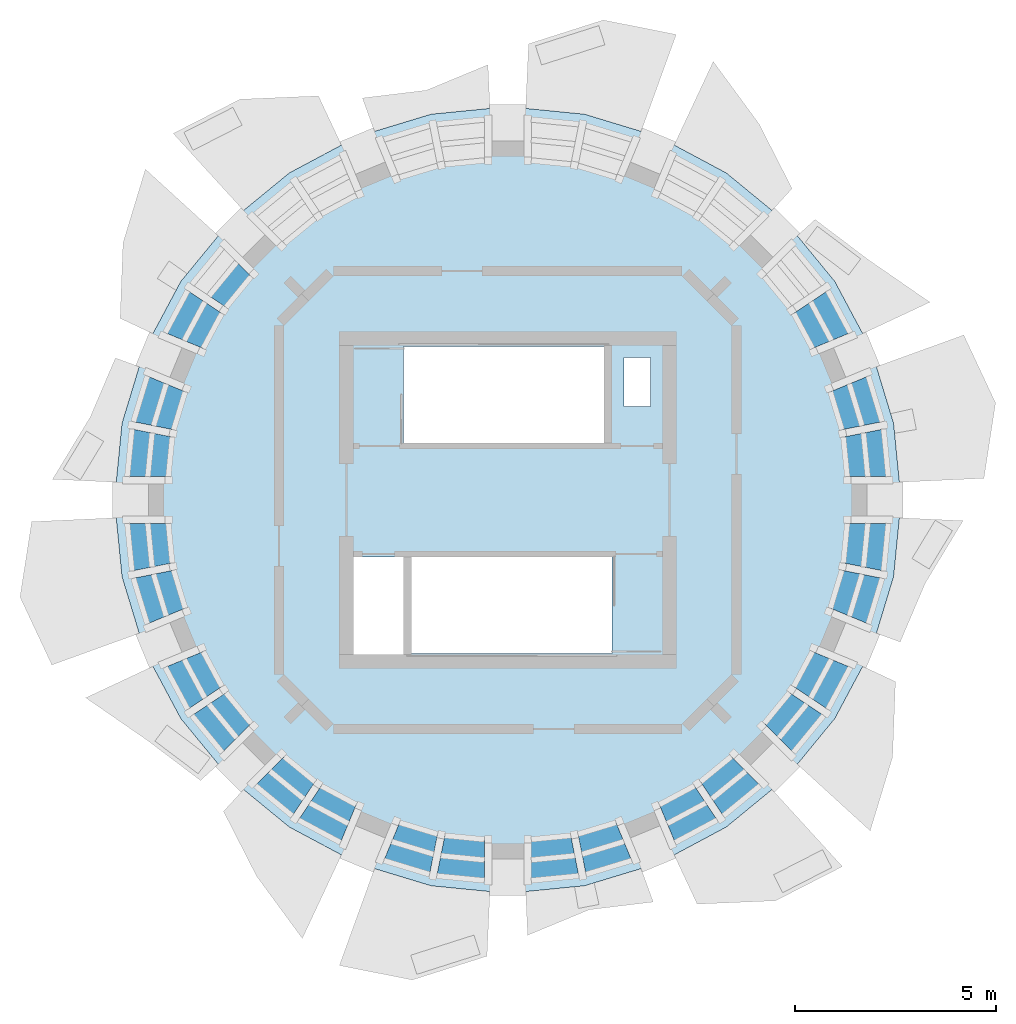
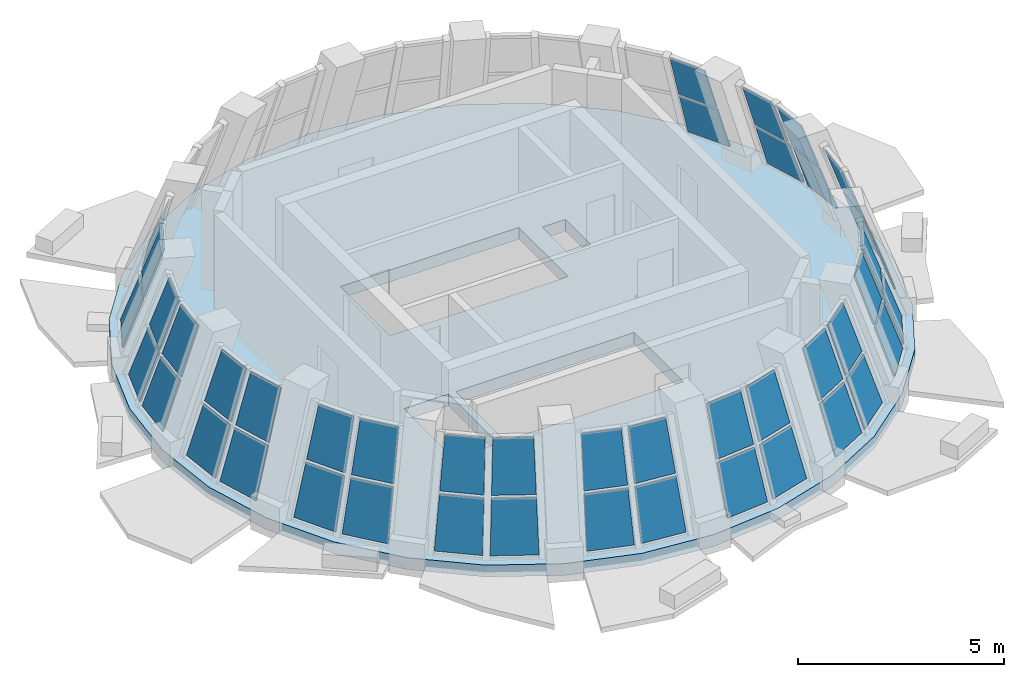
# One storey, part 4 of 8: 45 plates, 1 slab, 12 elements without a shape of their own.
"""IFC4 building model written with IfcOpenShell, lengths in metres."""

import ifcopenshell
import ifcopenshell.guid

model = None  # the IFC model being written
_history = None  # IfcOwnerHistory: only IFC2X3 demands one
_inside = {}  # id of a spatial element -> (the spatial element, [elements in it])
_under = {}  # id of a project, library or spatial element -> (it, [spatial elements below it])
_declared = {}  # id of a project -> (the project, [libraries it declares])
_typed = {}  # id of a type object -> (the type object, [elements of that type])
_made_of = {}  # id of a material, layer set ... -> (it, [elements and type objects made of it])


def new_model(schema):
    """Start an empty IFC model of exactly this schema.

    Asked for "IFC4X3", IfcOpenShell would pick the latest addendum, in which some entities
    have other attributes; the version numbers below select the first issue.
    IFC2X3 requires an IfcOwnerHistory on every rooted entity: one is made here for all.
    """
    global model, _history
    if schema == "IFC4X3":
        model = ifcopenshell.file(schema_version=(4, 3, 0, 0))
    else:
        model = ifcopenshell.file(schema=schema)
    _inside.clear()
    _under.clear()
    _declared.clear()
    _typed.clear()
    _made_of.clear()
    _history = None
    if model.schema == "IFC2X3":
        org = make("IfcOrganization", Name="unknown")
        user = make(
            "IfcPersonAndOrganization",
            ThePerson=make("IfcPerson", FamilyName="unknown"),
            TheOrganization=org,
        )
        app = make(
            "IfcApplication",
            ApplicationDeveloper=org,
            Version="unknown",
            ApplicationFullName="unknown",
            ApplicationIdentifier="unknown",
        )
        _history = make(
            "IfcOwnerHistory",
            OwningUser=user,
            OwningApplication=app,
            ChangeAction="ADDED",
            CreationDate=0,
        )
    return model


def make(cls, **values):
    """One entity of the class cls with the attributes given. An attribute that is None is left unset."""
    return model.create_entity(
        cls, **{name: value for name, value in values.items() if value is not None}
    )


def rooted(cls, **values):
    """An entity with a GlobalId (a new one), such as an element, a storey or a relation."""
    return make(cls, GlobalId=ifcopenshell.guid.new(), OwnerHistory=_history, **values)


def si_unit(unit_type, name, prefix=None):
    """IfcSIUnit, for example si_unit("LENGTHUNIT", "METRE", prefix="MILLI")."""
    return make("IfcSIUnit", UnitType=unit_type, Prefix=prefix, Name=name)


def assignment(units):
    """IfcUnitAssignment: the units of a project."""
    return None if units is None else make("IfcUnitAssignment", Units=units)


def point(xyz):
    """IfcCartesianPoint."""
    return None if xyz is None else make("IfcCartesianPoint", Coordinates=xyz)


def direction(xyz):
    """IfcDirection."""
    return None if xyz is None else make("IfcDirection", DirectionRatios=xyz)


def frame(location, z_axis=None, x_axis=None):
    """IfcAxis2Placement3D, a coordinate frame: its origin and axes. An axis left out is left unset."""
    return make(
        "IfcAxis2Placement3D",
        Location=point(location),
        Axis=direction(z_axis),
        RefDirection=direction(x_axis),
    )


def origin():
    """The frame at (0, 0, 0) with its axes left unset."""
    return frame((0.0, 0.0, 0.0))


def place(relative_to, where):
    """IfcLocalPlacement: puts the frame where relative to a parent placement (None: the world)."""
    return make(
        "IfcLocalPlacement", PlacementRelTo=relative_to, RelativePlacement=where
    )


def context(
    kind, dimensions, precision=None, world=None, true_north=None, identifier=None
):
    """IfcGeometricRepresentationContext, for example the 3D "Model" context."""
    return make(
        "IfcGeometricRepresentationContext",
        ContextIdentifier=identifier,
        ContextType=kind,
        CoordinateSpaceDimension=dimensions,
        Precision=precision,
        WorldCoordinateSystem=world,
        TrueNorth=true_north,
    )


def subcontext(parent, identifier, kind, view, scale=None):
    """IfcGeometricRepresentationSubContext, for example "Body" below "Model"."""
    return make(
        "IfcGeometricRepresentationSubContext",
        ContextIdentifier=identifier,
        ContextType=kind,
        ParentContext=parent,
        TargetScale=scale,
        TargetView=view,
    )


def project(units=None, contexts=None):
    """IfcProject with its units and contexts."""
    return rooted(
        "IfcProject",
        Name="project",
        RepresentationContexts=contexts,
        UnitsInContext=assignment(units),
    )


def spatial(cls, under=None, at=None, **own):
    """A site, building, storey or space (cls), placed at a placement, below another one or the project."""
    s = rooted(cls, ObjectPlacement=at, **own)
    if under is not None:
        _under.setdefault(under.id(), (under, []))[1].append(s)
    return s


def polyline(points):
    """IfcPolyline through the points."""
    return make("IfcPolyline", Points=[point(p) for p in points])


def outline(outer, holes=None, kind="AREA"):
    """IfcArbitraryClosedProfileDef: a profile drawn as a closed curve; with holes, ...WithVoids."""
    if holes is None:
        return make("IfcArbitraryClosedProfileDef", ProfileType=kind, OuterCurve=outer)
    return make(
        "IfcArbitraryProfileDefWithVoids",
        ProfileType=kind,
        OuterCurve=outer,
        InnerCurves=holes,
    )


def extrude(swept, where, along, depth):
    """IfcExtrudedAreaSolid: the profile swept, set in the frame where, extruded along a direction by depth."""
    return make(
        "IfcExtrudedAreaSolid",
        SweptArea=swept,
        Position=where,
        ExtrudedDirection=direction(along),
        Depth=depth,
    )


def shape(context_of_items, identifier, shape_type, items):
    """IfcShapeRepresentation: the items that make up one representation, for example the "Body"."""
    return make(
        "IfcShapeRepresentation",
        ContextOfItems=context_of_items,
        RepresentationIdentifier=identifier,
        RepresentationType=shape_type,
        Items=items,
    )


def material(Name=None, Category=None):
    """IfcMaterial."""
    return make("IfcMaterial", Name=Name, Category=Category)


def layer(
    of_material, thickness, ventilated=None, Name=None, Category=None, Priority=None
):
    """IfcMaterialLayer: one layer of a wall or slab, of a material (None: an air gap)."""
    return make(
        "IfcMaterialLayer",
        Material=of_material,
        LayerThickness=thickness,
        IsVentilated=ventilated,
        Name=Name,
        Category=Category,
        Priority=Priority,
    )


def layer_set(layers, Name=None):
    """IfcMaterialLayerSet."""
    return make("IfcMaterialLayerSet", MaterialLayers=layers, LayerSetName=Name)


def made_of(thing, what):
    """Note that an element or type object is made of a material, layer set ...; save() writes the relation."""
    if what is not None:
        _made_of.setdefault(what.id(), (what, []))[1].append(thing)
    return thing


def type_object(cls, material=None, **own):
    """A type object (cls), such as IfcWallType, which elements share."""
    return made_of(rooted(cls, **own), material)


def element(
    cls,
    number,
    at=None,
    inside=None,
    cuts=None,
    type_object=None,
    material=None,
    context=None,
    identifier="Body",
    shape_type=None,
    held_by="IfcProductDefinitionShape",
    body=None,
    shapes=None,
    **own,
):
    """One element of the class cls, such as IfcWall. Its Tag is "e" and its number.

    at: its placement. inside: the storey or other place that contains it. cuts: it is an
    opening in that element (IfcRelVoidsElement). A single representation is given by context,
    identifier, shape_type and body (its items); several are given by shapes. held_by: the class
    of the entity that holds the representations. save() writes the other relations.
    """
    e = rooted(cls, Tag="e%d" % number, ObjectPlacement=at, **own)
    if body is not None:
        shapes = [shape(context, identifier, shape_type, body)]
    if shapes is not None:
        e.Representation = make(held_by, Representations=shapes)
    if inside is not None:
        _inside.setdefault(inside.id(), (inside, []))[1].append(e)
    if cuts is not None:
        rooted(
            "IfcRelVoidsElement", RelatingBuildingElement=cuts, RelatedOpeningElement=e
        )
    if type_object is not None:
        _typed.setdefault(type_object.id(), (type_object, []))[1].append(e)
    return made_of(e, material)


def aggregate(whole, parts):
    """IfcRelAggregates: a whole, such as a stair, and the parts it consists of."""
    return rooted("IfcRelAggregates", RelatingObject=whole, RelatedObjects=parts)


def save(model, path):
    """Write the relations noted so far, then the file.

    IfcRelAggregates (storeys below a building ...), IfcRelContainedInSpatialStructure (elements
    in a storey), IfcRelDefinesByType, IfcRelAssociatesMaterial and IfcRelDeclares: one each for
    every whole, place, type object, material and project.
    """
    for whole, parts in _under.values():
        aggregate(whole, parts)
    for where, things in _inside.values():
        rooted(
            "IfcRelContainedInSpatialStructure",
            RelatedElements=things,
            RelatingStructure=where,
        )
    for kind, things in _typed.values():
        rooted("IfcRelDefinesByType", RelatedObjects=things, RelatingType=kind)
    for what, things in _made_of.values():
        rooted("IfcRelAssociatesMaterial", RelatedObjects=things, RelatingMaterial=what)
    for by, libraries in _declared.values():
        rooted("IfcRelDeclares", RelatingContext=by, RelatedDefinitions=libraries)
    model.write(path)


model = new_model("IFC4")

# Units and contexts
model_context = context("Model", 3, precision=1e-05, world=origin(), true_north=direction((0.0, 1.0)))
body_context = subcontext(model_context, "Body", "Model", "MODEL_VIEW")
ifc_project = project(units=[si_unit("LENGTHUNIT", "METRE"), si_unit("AREAUNIT", "SQUARE_METRE"), si_unit("VOLUMEUNIT", "CUBIC_METRE"), si_unit("PLANEANGLEUNIT", "RADIAN"), si_unit("MASSUNIT", "GRAM", prefix="KILO")], contexts=[model_context])

# Site, building, storey
site_placement = place(None, origin())
site = spatial("IfcSite", under=ifc_project, at=site_placement, CompositionType="ELEMENT")
building_placement = place(site_placement, origin())
building = spatial("IfcBuilding", under=site, at=building_placement, Name="Polderwave Tower", CompositionType="ELEMENT")
storey_placement = place(building_placement, frame((0.0, 0.0, 244.39990234375)))
storey = spatial("IfcBuildingStorey", under=building, at=storey_placement, Name="L66", CompositionType="ELEMENT", Elevation=244.39990234375)

# Curtain wall, plates
ifc_material_1 = material(Name="Aluminium 6063-T6 and glass", Category="aluminium")
curtain_wall_type = type_object("IfcCurtainWallType", Name="Crown facet glazing wall", PredefinedType="NOTDEFINED", material=ifc_material_1)
curtain_wall_1_placement = place(storey_placement, origin())
curtain_wall_1 = element("IfcCurtainWall", 1, at=curtain_wall_1_placement, inside=storey, type_object=curtain_wall_type, Name="CROWN CW6 L66 00", PredefinedType="NOTDEFINED")
ifc_material_2 = material(Name="Glass, low-e laminated double glazing", Category="glass")
ifc_layer_1 = layer(ifc_material_2, 0.0400390625)
ifc_layer_set_1 = layer_set([ifc_layer_1], Name="Crown facet glazing glass panel 40 mm")
plate_type = type_object("IfcPlateType", Name="Crown facet glazing glass panel 40 mm", PredefinedType="CURTAIN_PANEL", material=ifc_layer_set_1)
plate_1_placement = place(storey_placement, frame((9.46630859375, 0.583984375, 0.080078125), z_axis=(0.937895285941, 0.092195772354, 0.334443376627), x_axis=(-0.097827581807, 0.995203378319, -4.533808e-06)))
plate_1 = element("IfcPlate", 2, at=plate_1_placement, type_object=plate_type, Name="CROWN CW6 panel 1", PredefinedType="CURTAIN_PANEL", context=body_context, shape_type="SweptSolid", body=[
    extrude(outline(polyline([(0.0, 0.0), (1.1880702856782939, 0.0), (1.1401501838394374, 1.4377789199388151), (0.047259673282329384, 1.4377679466118984), (0.0, 0.0)])), origin(), (0.0, 0.0, -1.0), 0.0400390625),
])
plate_2_placement = place(storey_placement, frame((8.95458984375, 0.583984375, 1.51513671875), z_axis=(0.937851449391, 0.092369186157, 0.334518448405), x_axis=(-0.098000859001, 0.99518632919, -4.2758918e-05)))
plate_2 = element("IfcPlate", 3, at=plate_2_placement, type_object=plate_type, Name="CROWN CW6 panel 2", PredefinedType="CURTAIN_PANEL", context=body_context, shape_type="SweptSolid", body=[
    extrude(outline(polyline([(0.0, 0.0), (1.0874974052304374, -6.938893903907228e-18), (1.0396331621784038, 1.4378612585329653), (0.047291598624912855, 1.4377668902361955), (0.0, 0.0)])), origin(), (0.0, 0.0, -1.0), 0.0400390625),
])
plate_3_placement = place(storey_placement, frame((9.314208984375, 1.947021484375, 0.080078125), z_axis=(0.901720281064, 0.273664436241, 0.334676427397), x_axis=(-0.290408490469, 0.956902768614, -9.05669e-06)))
plate_3 = element("IfcPlate", 4, at=plate_3_placement, type_object=plate_type, Name="CROWN CW6 panel 3", PredefinedType="CURTAIN_PANEL", context=body_context, shape_type="SweptSolid", body=[
    extrude(outline(polyline([(0.0, 0.0), (1.1871399831308675, 1.3877787807814457e-17), (1.1397925647514855, 1.437910626445114), (0.04703240957954799, 1.4378887145022188), (0.0, 0.0)])), origin(), (0.0, 0.0, -1.0), 0.0400390625),
])
plate_4_placement = place(storey_placement, frame((8.81201171875, 1.8466796875, 1.51513671875), z_axis=(0.901830819388, 0.273503347507, 0.334510227206), x_axis=(-0.290216518075, 0.956961008783, -1.7455491e-05)))
plate_4 = element("IfcPlate", 5, at=plate_4_placement, type_object=plate_type, Name="CROWN CW6 panel 4", PredefinedType="CURTAIN_PANEL", context=body_context, shape_type="SweptSolid", body=[
    extrude(outline(polyline([(0.0, 0.0), (1.0870533690866546, 0.0), (1.0395271700945463, 1.4378288884632346), (0.04708727373324286, 1.4377903709772952), (0.0, 0.0)])), origin(), (0.0, 0.0, -1.0), 0.0400390625),
])
aggregate(curtain_wall_1, [plate_1, plate_2, plate_3, plate_4])

curtain_wall_2_placement = place(storey_placement, origin())
curtain_wall_2 = element("IfcCurtainWall", 6, at=curtain_wall_2_placement, inside=storey, type_object=curtain_wall_type, Name="CROWN CW6 L66 01", PredefinedType="NOTDEFINED")
plate_5_placement = place(storey_placement, frame((8.5224609375, 4.162109375, 0.080078125), z_axis=(0.830876386908, 0.444633328059, 0.334582774898), x_axis=(-0.471821460585, 0.881694113104, -1.5773085e-05)))
plate_5 = element("IfcPlate", 7, at=plate_5_placement, type_object=plate_type, Name="CROWN CW6 panel 1", PredefinedType="CURTAIN_PANEL", context=body_context, shape_type="SweptSolid", body=[
    extrude(outline(polyline([(0.0, 0.0), (1.18814734200034, 2.7755575615628914e-17), (1.1407316596209516, 1.4378680218944804), (0.04749750318745835, 1.4378298367196831), (0.0, 0.0)])), origin(), (0.0, 0.0, -1.0), 0.0400390625),
])
plate_6_placement = place(storey_placement, frame((8.049560546875, 3.966064453125, 1.51513671875), z_axis=(0.830888677871, 0.444637127192, 0.334547201615), x_axis=(-0.471823950525, 0.881692780798, -4.98226e-07)))
plate_6 = element("IfcPlate", 8, at=plate_6_placement, type_object=plate_type, Name="CROWN CW6 panel 2", PredefinedType="CURTAIN_PANEL", context=body_context, shape_type="SweptSolid", body=[
    extrude(outline(polyline([(0.0, 0.0), (1.0876619108830106, 2.7755575615628914e-17), (1.0404835413839726, 1.4378302090599095), (0.04751955871846202, 1.4378291090544624), (0.0, 0.0)])), origin(), (0.0, 0.0, -1.0), 0.0400390625),
])
aggregate(curtain_wall_2, [plate_5, plate_6])

curtain_wall_3_placement = place(storey_placement, origin())
curtain_wall_3 = element("IfcCurtainWall", 9, at=curtain_wall_3_placement, inside=storey, type_object=curtain_wall_type, Name="CROWN CW6 L66 06", PredefinedType="NOTDEFINED")
plate_7_placement = place(storey_placement, frame((-6.744384765625, 5.9189453125, 1.51513671875), z_axis=(-0.728610674549, 0.597664250951, 0.334550337122), x_axis=(-0.634208070404, -0.773162417238, 2.292569e-06)))
plate_7 = element("IfcPlate", 10, at=plate_7_placement, type_object=plate_type, Name="CROWN CW6 panel 2", PredefinedType="CURTAIN_PANEL", context=body_context, shape_type="SweptSolid", body=[
    extrude(outline(polyline([(0.0, 0.0), (1.0875022372701872, 2.7755575615628914e-17), (1.0402817535867661, 1.437828826565124), (0.04749726790123691, 1.4378338873805563), (0.0, 0.0)])), origin(), (0.0, 0.0, -1.0), 0.0400390625),
])
plate_8_placement = place(storey_placement, frame((-7.9619140625, 5.209716796875, 0.080078125), z_axis=(-0.830897524586, 0.444543790311, 0.334649252401), x_axis=(-0.471747578756, -0.881733645577, -1.3980513e-05)))
plate_8 = element("IfcPlate", 11, at=plate_8_placement, type_object=plate_type, Name="CROWN CW6 panel 3", PredefinedType="CURTAIN_PANEL", context=body_context, shape_type="SweptSolid", body=[
    extrude(outline(polyline([(0.0, 0.0), (1.188147342283793, -2.7755575615628914e-17), (1.14053465731741, 1.437901866773072), (0.04741568293498262, 1.4378680221103832), (0.0, 0.0)])), origin(), (0.0, 0.0, -1.0), 0.0400390625),
])
plate_9_placement = place(storey_placement, frame((-7.536376953125, 4.925048828125, 1.51513671875), z_axis=(-0.830878116864, 0.444580065193, 0.334649250037), x_axis=(-0.471786288697, -0.881712933773, -1.4670693e-05)))
plate_9 = element("IfcPlate", 12, at=plate_9_placement, type_object=plate_type, Name="CROWN CW6 panel 4", PredefinedType="CURTAIN_PANEL", context=body_context, shape_type="SweptSolid", body=[
    extrude(outline(polyline([(0.0, 0.0), (1.0876619098390503, 5.551115123125783e-17), (1.0400271620707178, 1.4379011361127982), (0.04739362464483311, 1.437868749409721), (0.0, 0.0)])), origin(), (0.0, 0.0, -1.0), 0.0400390625),
])
aggregate(curtain_wall_3, [plate_7, plate_8, plate_9])

curtain_wall_4_placement = place(storey_placement, origin())
curtain_wall_4 = element("IfcCurtainWall", 13, at=curtain_wall_4_placement, inside=storey, type_object=curtain_wall_type, Name="CROWN CW6 L66 07", PredefinedType="NOTDEFINED")
plate_10_placement = place(storey_placement, frame((-8.969482421875, 3.0830078125, 0.080078125), z_axis=(-0.90177283822, 0.273579472294, 0.334604274611), x_axis=(-0.290321413128, -0.956929190974, -2.3256199e-05)))
plate_10 = element("IfcPlate", 14, at=plate_10_placement, type_object=plate_type, Name="CROWN CW6 panel 1", PredefinedType="CURTAIN_PANEL", context=body_context, shape_type="SweptSolid", body=[
    extrude(outline(polyline([(0.0, 0.0), (1.1871399806981504, -1.3877787807814457e-17), (1.1401075758876562, 1.4378887126497282), (0.04741830816409392, 1.437832449401057), (0.0, 0.0)])), origin(), (0.0, 0.0, -1.0), 0.0400390625),
])
plate_11_placement = place(storey_placement, frame((-8.49658203125, 2.886962890625, 1.51513671875), z_axis=(-0.901830819388, 0.273503347507, 0.334510227206), x_axis=(-0.290216518075, -0.956961008783, 1.7455491e-05)))
plate_11 = element("IfcPlate", 15, at=plate_11_placement, type_object=plate_type, Name="CROWN CW6 panel 2", PredefinedType="CURTAIN_PANEL", context=body_context, shape_type="SweptSolid", body=[
    extrude(outline(polyline([(0.0, 0.0), (1.0870533690866546, 0.0), (1.0399660953534118, 1.4377903709772952), (0.04752619899210841, 1.4378288884632346), (0.0, 0.0)])), origin(), (0.0, 0.0, -1.0), 0.0400390625),
])
plate_12_placement = place(storey_placement, frame((-9.35009765625, 1.766357421875, 0.080078125), z_axis=(-0.937842269422, 0.092190560793, 0.334593452096), x_axis=(-0.09782758037, -0.99520337846, 4.535586e-06)))
plate_12 = element("IfcPlate", 16, at=plate_12_placement, type_object=plate_type, Name="CROWN CW6 panel 3", PredefinedType="CURTAIN_PANEL", context=body_context, shape_type="SweptSolid", body=[
    extrude(outline(polyline([(0.0, 0.0), (1.1880702856783063, -6.938893903907228e-18), (1.1407867318130822, 1.4378492220486534), (0.047896221256010195, 1.4378602002996534), (0.0, 0.0)])), origin(), (0.0, 0.0, -1.0), 0.0400390625),
])
plate_13_placement = place(storey_placement, frame((-8.84814453125, 1.666259765625, 1.51513671875), z_axis=(-0.937835729844, 0.09225701801, 0.334593464454), x_axis=(-0.09789760904, -0.995196492211, 5.932816e-06)))
plate_13 = element("IfcPlate", 17, at=plate_13_placement, type_object=plate_type, Name="CROWN CW6 panel 4", PredefinedType="CURTAIN_PANEL", context=body_context, shape_type="SweptSolid", body=[
    extrude(outline(polyline([(0.0, 0.0), (1.0874974139435412, 6.938893903907228e-18), (1.0401819015477192, 1.437848170700336), (0.04786426009474979, 1.4378612645556195), (0.0, 0.0)])), origin(), (0.0, 0.0, -1.0), 0.0400390625),
])
aggregate(curtain_wall_4, [plate_10, plate_11, plate_12, plate_13])

curtain_wall_5_placement = place(storey_placement, origin())
curtain_wall_5 = element("IfcCurtainWall", 18, at=curtain_wall_5_placement, inside=storey, type_object=curtain_wall_type, Name="CROWN CW6 L66 08", PredefinedType="NOTDEFINED")
plate_14_placement = place(storey_placement, frame((-9.46630859375, -0.583984375, 0.080078125), z_axis=(-0.937895285941, -0.092195772354, 0.334443376627), x_axis=(0.097827581807, -0.995203378319, -4.533808e-06)))
plate_14 = element("IfcPlate", 19, at=plate_14_placement, type_object=plate_type, Name="CROWN CW6 panel 1", PredefinedType="CURTAIN_PANEL", context=body_context, shape_type="SweptSolid", body=[
    extrude(outline(polyline([(0.0, 0.0), (1.1880702856782939, 0.0), (1.1401501838394374, 1.4377789199388151), (0.047259673282329384, 1.4377679466118984), (0.0, 0.0)])), origin(), (0.0, 0.0, -1.0), 0.0400390625),
])
plate_15_placement = place(storey_placement, frame((-8.95458984375, -0.583984375, 1.51513671875), z_axis=(-0.937851449391, -0.092369186157, 0.334518448405), x_axis=(0.098000859001, -0.99518632919, -4.2758918e-05)))
plate_15 = element("IfcPlate", 20, at=plate_15_placement, type_object=plate_type, Name="CROWN CW6 panel 2", PredefinedType="CURTAIN_PANEL", context=body_context, shape_type="SweptSolid", body=[
    extrude(outline(polyline([(0.0, 0.0), (1.0874974052304374, -6.938893903907228e-18), (1.0396331621784038, 1.4378612585329653), (0.047291598624912855, 1.4377668902361955), (0.0, 0.0)])), origin(), (0.0, 0.0, -1.0), 0.0400390625),
])
plate_16_placement = place(storey_placement, frame((-9.314208984375, -1.947021484375, 0.080078125), z_axis=(-0.901720281064, -0.273664436241, 0.334676427397), x_axis=(0.290408490469, -0.956902768614, -9.05669e-06)))
plate_16 = element("IfcPlate", 21, at=plate_16_placement, type_object=plate_type, Name="CROWN CW6 panel 3", PredefinedType="CURTAIN_PANEL", context=body_context, shape_type="SweptSolid", body=[
    extrude(outline(polyline([(0.0, 0.0), (1.1871399831308675, 1.3877787807814457e-17), (1.1397925647514855, 1.437910626445114), (0.04703240957954799, 1.4378887145022188), (0.0, 0.0)])), origin(), (0.0, 0.0, -1.0), 0.0400390625),
])
plate_17_placement = place(storey_placement, frame((-8.81201171875, -1.8466796875, 1.51513671875), z_axis=(-0.901830819388, -0.273503347507, 0.334510227206), x_axis=(0.290216518075, -0.956961008783, -1.7455491e-05)))
plate_17 = element("IfcPlate", 22, at=plate_17_placement, type_object=plate_type, Name="CROWN CW6 panel 4", PredefinedType="CURTAIN_PANEL", context=body_context, shape_type="SweptSolid", body=[
    extrude(outline(polyline([(0.0, 0.0), (1.0870533690866546, 0.0), (1.0395271700945463, 1.4378288884632346), (0.04708727373324286, 1.4377903709772952), (0.0, 0.0)])), origin(), (0.0, 0.0, -1.0), 0.0400390625),
])
aggregate(curtain_wall_5, [plate_14, plate_15, plate_16, plate_17])

curtain_wall_6_placement = place(storey_placement, origin())
curtain_wall_6 = element("IfcCurtainWall", 23, at=curtain_wall_6_placement, inside=storey, type_object=curtain_wall_type, Name="CROWN CW6 L66 09", PredefinedType="NOTDEFINED")
plate_18_placement = place(storey_placement, frame((-8.5224609375, -4.162109375, 0.080078125), z_axis=(-0.830876386908, -0.444633328059, 0.334582774898), x_axis=(0.471821460585, -0.881694113104, -1.5773085e-05)))
plate_18 = element("IfcPlate", 24, at=plate_18_placement, type_object=plate_type, Name="CROWN CW6 panel 1", PredefinedType="CURTAIN_PANEL", context=body_context, shape_type="SweptSolid", body=[
    extrude(outline(polyline([(0.0, 0.0), (1.18814734200034, 2.7755575615628914e-17), (1.1407316596209516, 1.4378680218944804), (0.04749750318745835, 1.4378298367196831), (0.0, 0.0)])), origin(), (0.0, 0.0, -1.0), 0.0400390625),
])
plate_19_placement = place(storey_placement, frame((-8.049560546875, -3.966064453125, 1.51513671875), z_axis=(-0.830888677871, -0.444637127192, 0.334547201615), x_axis=(0.471823950525, -0.881692780798, -4.98226e-07)))
plate_19 = element("IfcPlate", 25, at=plate_19_placement, type_object=plate_type, Name="CROWN CW6 panel 2", PredefinedType="CURTAIN_PANEL", context=body_context, shape_type="SweptSolid", body=[
    extrude(outline(polyline([(0.0, 0.0), (1.0876619108830106, 2.7755575615628914e-17), (1.0404835413839726, 1.4378302090599095), (0.04751955871846202, 1.4378291090544624), (0.0, 0.0)])), origin(), (0.0, 0.0, -1.0), 0.0400390625),
])
plate_20_placement = place(storey_placement, frame((-7.859619140625, -5.362548828125, 0.080078125), z_axis=(-0.728514558881, -0.59778140071, 0.334550346678), x_axis=(0.634331884059, -0.773060839035, -4.120436e-06)))
plate_20 = element("IfcPlate", 26, at=plate_20_placement, type_object=plate_type, Name="CROWN CW6 panel 3", PredefinedType="CURTAIN_PANEL", context=body_context, shape_type="SweptSolid", body=[
    extrude(outline(polyline([(0.0, 0.0), (1.1877514672402194, 2.7755575615628914e-17), (1.1403287608472565, 1.4378363484478571), (0.04729504145590254, 1.4378263759843046), (0.0, 0.0)])), origin(), (0.0, 0.0, -1.0), 0.0400390625),
])
plate_21_placement = place(storey_placement, frame((-7.43408203125, -5.078125, 1.51513671875), z_axis=(-0.728552410514, -0.597616458169, 0.334762533836), x_axis=(0.634208069606, -0.773162417893, -2.29384e-06)))
plate_21 = element("IfcPlate", 27, at=plate_21_placement, type_object=plate_type, Name="CROWN CW6 panel 4", PredefinedType="CURTAIN_PANEL", context=body_context, shape_type="SweptSolid", body=[
    extrude(outline(polyline([(0.0, 0.0), (1.0875022372701915, 2.7755575615628914e-17), (1.0399710427489806, 1.4379488756299341), (0.04718655706346319, 1.4379438116045562), (0.0, 0.0)])), origin(), (0.0, 0.0, -1.0), 0.0400390625),
])
aggregate(curtain_wall_6, [plate_18, plate_19, plate_20, plate_21])

curtain_wall_7_placement = place(storey_placement, origin())
curtain_wall_7 = element("IfcCurtainWall", 28, at=curtain_wall_7_placement, inside=storey, type_object=curtain_wall_type, Name="CROWN CW6 L66 10", PredefinedType="NOTDEFINED")
plate_22_placement = place(storey_placement, frame((-6.28076171875, -7.106201171875, 0.080078125), z_axis=(-0.597776406997, -0.728552904485, 0.334475757873), x_axis=(0.773077686851, -0.634311351045, -5.30734e-06)))
plate_22 = element("IfcPlate", 29, at=plate_22_placement, type_object=plate_type, Name="CROWN CW6 panel 1", PredefinedType="CURTAIN_PANEL", context=body_context, shape_type="SweptSolid", body=[
    extrude(outline(polyline([(0.0, 0.0), (1.1877514671807785, 2.7755575615628914e-17), (1.1404564258413907, 1.4380564517805376), (0.04723396892255981, 1.4377845445814874), (0.0, 0.0)])), origin(), (0.0, 0.0, -1.0), 0.0400390625),
])
plate_23_placement = place(storey_placement, frame((-5.9189453125, -6.744384765625, 1.51513671875), z_axis=(-0.597664250951, -0.728610674549, 0.334550337122), x_axis=(0.773162417238, -0.634208070404, 2.292569e-06)))
plate_23 = element("IfcPlate", 30, at=plate_23_placement, type_object=plate_type, Name="CROWN CW6 panel 2", PredefinedType="CURTAIN_PANEL", context=body_context, shape_type="SweptSolid", body=[
    extrude(outline(polyline([(0.0, 0.0), (1.0875022372701872, 2.7755575615628914e-17), (1.0402817535867661, 1.437828826565124), (0.04749726790123691, 1.4378338873805563), (0.0, 0.0)])), origin(), (0.0, 0.0, -1.0), 0.0400390625),
])
plate_24_placement = place(storey_placement, frame((-5.209716796875, -7.9619140625, 0.080078125), z_axis=(-0.444543790311, -0.830897524586, 0.334649252401), x_axis=(0.881733645577, -0.471747578756, -1.3980513e-05)))
plate_24 = element("IfcPlate", 31, at=plate_24_placement, type_object=plate_type, Name="CROWN CW6 panel 3", PredefinedType="CURTAIN_PANEL", context=body_context, shape_type="SweptSolid", body=[
    extrude(outline(polyline([(0.0, 0.0), (1.188147342283793, -2.7755575615628914e-17), (1.14053465731741, 1.437901866773072), (0.04741568293498262, 1.4378680221103832), (0.0, 0.0)])), origin(), (0.0, 0.0, -1.0), 0.0400390625),
])
plate_25_placement = place(storey_placement, frame((-4.925048828125, -7.536376953125, 1.51513671875), z_axis=(-0.444580065193, -0.830878116864, 0.334649250037), x_axis=(0.881712933773, -0.471786288697, -1.4670693e-05)))
plate_25 = element("IfcPlate", 32, at=plate_25_placement, type_object=plate_type, Name="CROWN CW6 panel 4", PredefinedType="CURTAIN_PANEL", context=body_context, shape_type="SweptSolid", body=[
    extrude(outline(polyline([(0.0, 0.0), (1.0876619098390503, 5.551115123125783e-17), (1.0400271620707178, 1.4379011361127982), (0.04739362464483311, 1.437868749409721), (0.0, 0.0)])), origin(), (0.0, 0.0, -1.0), 0.0400390625),
])
aggregate(curtain_wall_7, [plate_22, plate_23, plate_24, plate_25])

curtain_wall_8_placement = place(storey_placement, origin())
curtain_wall_8 = element("IfcCurtainWall", 33, at=curtain_wall_8_placement, inside=storey, type_object=curtain_wall_type, Name="CROWN CW6 L66 11", PredefinedType="NOTDEFINED")
plate_26_placement = place(storey_placement, frame((-3.0830078125, -8.969482421875, 0.080078125), z_axis=(-0.273579472294, -0.90177283822, 0.334604274611), x_axis=(0.956929190974, -0.290321413128, -2.3256199e-05)))
plate_26 = element("IfcPlate", 34, at=plate_26_placement, type_object=plate_type, Name="CROWN CW6 panel 1", PredefinedType="CURTAIN_PANEL", context=body_context, shape_type="SweptSolid", body=[
    extrude(outline(polyline([(0.0, 0.0), (1.1871399806981504, -1.3877787807814457e-17), (1.1401075758876562, 1.4378887126497282), (0.04741830816409392, 1.437832449401057), (0.0, 0.0)])), origin(), (0.0, 0.0, -1.0), 0.0400390625),
])
plate_27_placement = place(storey_placement, frame((-2.886962890625, -8.49658203125, 1.51513671875), z_axis=(-0.273503347507, -0.901830819388, 0.334510227206), x_axis=(0.956961008783, -0.290216518075, 1.7455491e-05)))
plate_27 = element("IfcPlate", 35, at=plate_27_placement, type_object=plate_type, Name="CROWN CW6 panel 2", PredefinedType="CURTAIN_PANEL", context=body_context, shape_type="SweptSolid", body=[
    extrude(outline(polyline([(0.0, 0.0), (1.0870533690866546, 0.0), (1.0399660953534118, 1.4377903709772952), (0.04752619899210841, 1.4378288884632346), (0.0, 0.0)])), origin(), (0.0, 0.0, -1.0), 0.0400390625),
])
plate_28_placement = place(storey_placement, frame((-1.766357421875, -9.35009765625, 0.080078125), z_axis=(-0.092190560793, -0.937842269422, 0.334593452096), x_axis=(0.99520337846, -0.09782758037, 4.535586e-06)))
plate_28 = element("IfcPlate", 36, at=plate_28_placement, type_object=plate_type, Name="CROWN CW6 panel 3", PredefinedType="CURTAIN_PANEL", context=body_context, shape_type="SweptSolid", body=[
    extrude(outline(polyline([(0.0, 0.0), (1.1880702856783063, -6.938893903907228e-18), (1.1407867318130822, 1.4378492220486534), (0.047896221256010195, 1.4378602002996534), (0.0, 0.0)])), origin(), (0.0, 0.0, -1.0), 0.0400390625),
])
plate_29_placement = place(storey_placement, frame((-1.666259765625, -8.84814453125, 1.51513671875), z_axis=(-0.09225701801, -0.937835729844, 0.334593464454), x_axis=(0.995196492211, -0.09789760904, 5.932816e-06)))
plate_29 = element("IfcPlate", 37, at=plate_29_placement, type_object=plate_type, Name="CROWN CW6 panel 4", PredefinedType="CURTAIN_PANEL", context=body_context, shape_type="SweptSolid", body=[
    extrude(outline(polyline([(0.0, 0.0), (1.0874974139435412, 6.938893903907228e-18), (1.0401819015477192, 1.437848170700336), (0.04786426009474979, 1.4378612645556195), (0.0, 0.0)])), origin(), (0.0, 0.0, -1.0), 0.0400390625),
])
aggregate(curtain_wall_8, [plate_26, plate_27, plate_28, plate_29])

curtain_wall_9_placement = place(storey_placement, origin())
curtain_wall_9 = element("IfcCurtainWall", 38, at=curtain_wall_9_placement, inside=storey, type_object=curtain_wall_type, Name="CROWN CW6 L66 12", PredefinedType="NOTDEFINED")
plate_30_placement = place(storey_placement, frame((0.583984375, -9.46630859375, 0.080078125), z_axis=(0.092195772354, -0.937895285941, 0.334443376627), x_axis=(0.995203378319, 0.097827581807, -4.533808e-06)))
plate_30 = element("IfcPlate", 39, at=plate_30_placement, type_object=plate_type, Name="CROWN CW6 panel 1", PredefinedType="CURTAIN_PANEL", context=body_context, shape_type="SweptSolid", body=[
    extrude(outline(polyline([(0.0, 0.0), (1.1880702856782939, 0.0), (1.1401501838394374, 1.4377789199388151), (0.047259673282329384, 1.4377679466118984), (0.0, 0.0)])), origin(), (0.0, 0.0, -1.0), 0.0400390625),
])
plate_31_placement = place(storey_placement, frame((0.583984375, -8.95458984375, 1.51513671875), z_axis=(0.092369186157, -0.937851449391, 0.334518448405), x_axis=(0.99518632919, 0.098000859001, -4.2758918e-05)))
plate_31 = element("IfcPlate", 40, at=plate_31_placement, type_object=plate_type, Name="CROWN CW6 panel 2", PredefinedType="CURTAIN_PANEL", context=body_context, shape_type="SweptSolid", body=[
    extrude(outline(polyline([(0.0, 0.0), (1.0874974052304374, -6.938893903907228e-18), (1.0396331621784038, 1.4378612585329653), (0.047291598624912855, 1.4377668902361955), (0.0, 0.0)])), origin(), (0.0, 0.0, -1.0), 0.0400390625),
])
plate_32_placement = place(storey_placement, frame((1.947021484375, -9.314208984375, 0.080078125), z_axis=(0.273664436241, -0.901720281064, 0.334676427397), x_axis=(0.956902768614, 0.290408490469, -9.05669e-06)))
plate_32 = element("IfcPlate", 41, at=plate_32_placement, type_object=plate_type, Name="CROWN CW6 panel 3", PredefinedType="CURTAIN_PANEL", context=body_context, shape_type="SweptSolid", body=[
    extrude(outline(polyline([(0.0, 0.0), (1.1871399831308675, 1.3877787807814457e-17), (1.1397925647514855, 1.437910626445114), (0.04703240957954799, 1.4378887145022188), (0.0, 0.0)])), origin(), (0.0, 0.0, -1.0), 0.0400390625),
])
plate_33_placement = place(storey_placement, frame((1.8466796875, -8.81201171875, 1.51513671875), z_axis=(0.273503347507, -0.901830819388, 0.334510227206), x_axis=(0.956961008783, 0.290216518075, -1.7455491e-05)))
plate_33 = element("IfcPlate", 42, at=plate_33_placement, type_object=plate_type, Name="CROWN CW6 panel 4", PredefinedType="CURTAIN_PANEL", context=body_context, shape_type="SweptSolid", body=[
    extrude(outline(polyline([(0.0, 0.0), (1.0870533690866546, 0.0), (1.0395271700945463, 1.4378288884632346), (0.04708727373324286, 1.4377903709772952), (0.0, 0.0)])), origin(), (0.0, 0.0, -1.0), 0.0400390625),
])
aggregate(curtain_wall_9, [plate_30, plate_31, plate_32, plate_33])

curtain_wall_10_placement = place(storey_placement, origin())
curtain_wall_10 = element("IfcCurtainWall", 43, at=curtain_wall_10_placement, inside=storey, type_object=curtain_wall_type, Name="CROWN CW6 L66 13", PredefinedType="NOTDEFINED")
plate_34_placement = place(storey_placement, frame((4.162109375, -8.5224609375, 0.080078125), z_axis=(0.444633328059, -0.830876386908, 0.334582774898), x_axis=(0.881694113104, 0.471821460585, -1.5773085e-05)))
plate_34 = element("IfcPlate", 44, at=plate_34_placement, type_object=plate_type, Name="CROWN CW6 panel 1", PredefinedType="CURTAIN_PANEL", context=body_context, shape_type="SweptSolid", body=[
    extrude(outline(polyline([(0.0, 0.0), (1.18814734200034, 2.7755575615628914e-17), (1.1407316596209516, 1.4378680218944804), (0.04749750318745835, 1.4378298367196831), (0.0, 0.0)])), origin(), (0.0, 0.0, -1.0), 0.0400390625),
])
plate_35_placement = place(storey_placement, frame((3.966064453125, -8.049560546875, 1.51513671875), z_axis=(0.444637127192, -0.830888677871, 0.334547201615), x_axis=(0.881692780798, 0.471823950525, -4.98226e-07)))
plate_35 = element("IfcPlate", 45, at=plate_35_placement, type_object=plate_type, Name="CROWN CW6 panel 2", PredefinedType="CURTAIN_PANEL", context=body_context, shape_type="SweptSolid", body=[
    extrude(outline(polyline([(0.0, 0.0), (1.0876619108830106, 2.7755575615628914e-17), (1.0404835413839726, 1.4378302090599095), (0.04751955871846202, 1.4378291090544624), (0.0, 0.0)])), origin(), (0.0, 0.0, -1.0), 0.0400390625),
])
plate_36_placement = place(storey_placement, frame((5.362548828125, -7.859619140625, 0.080078125), z_axis=(0.59778140071, -0.728514558881, 0.334550346678), x_axis=(0.773060839035, 0.634331884059, -4.120436e-06)))
plate_36 = element("IfcPlate", 46, at=plate_36_placement, type_object=plate_type, Name="CROWN CW6 panel 3", PredefinedType="CURTAIN_PANEL", context=body_context, shape_type="SweptSolid", body=[
    extrude(outline(polyline([(0.0, 0.0), (1.1877514672402194, 2.7755575615628914e-17), (1.1403287608472565, 1.4378363484478571), (0.04729504145590254, 1.4378263759843046), (0.0, 0.0)])), origin(), (0.0, 0.0, -1.0), 0.0400390625),
])
plate_37_placement = place(storey_placement, frame((5.078125, -7.43408203125, 1.51513671875), z_axis=(0.597616458169, -0.728552410514, 0.334762533836), x_axis=(0.773162417893, 0.634208069606, -2.29384e-06)))
plate_37 = element("IfcPlate", 47, at=plate_37_placement, type_object=plate_type, Name="CROWN CW6 panel 4", PredefinedType="CURTAIN_PANEL", context=body_context, shape_type="SweptSolid", body=[
    extrude(outline(polyline([(0.0, 0.0), (1.0875022372701915, 2.7755575615628914e-17), (1.0399710427489806, 1.4379488756299341), (0.04718655706346319, 1.4379438116045562), (0.0, 0.0)])), origin(), (0.0, 0.0, -1.0), 0.0400390625),
])
aggregate(curtain_wall_10, [plate_34, plate_35, plate_36, plate_37])

curtain_wall_11_placement = place(storey_placement, origin())
curtain_wall_11 = element("IfcCurtainWall", 48, at=curtain_wall_11_placement, inside=storey, type_object=curtain_wall_type, Name="CROWN CW6 L66 14", PredefinedType="NOTDEFINED")
plate_38_placement = place(storey_placement, frame((7.106201171875, -6.28076171875, 0.080078125), z_axis=(0.728552904485, -0.597776406997, 0.334475757873), x_axis=(0.634311351045, 0.773077686851, -5.30734e-06)))
plate_38 = element("IfcPlate", 49, at=plate_38_placement, type_object=plate_type, Name="CROWN CW6 panel 1", PredefinedType="CURTAIN_PANEL", context=body_context, shape_type="SweptSolid", body=[
    extrude(outline(polyline([(0.0, 0.0), (1.1877514671807785, 2.7755575615628914e-17), (1.1404564258413907, 1.4380564517805376), (0.04723396892255981, 1.4377845445814874), (0.0, 0.0)])), origin(), (0.0, 0.0, -1.0), 0.0400390625),
])
plate_39_placement = place(storey_placement, frame((6.744384765625, -5.9189453125, 1.51513671875), z_axis=(0.728610674549, -0.597664250951, 0.334550337122), x_axis=(0.634208070404, 0.773162417238, 2.292569e-06)))
plate_39 = element("IfcPlate", 50, at=plate_39_placement, type_object=plate_type, Name="CROWN CW6 panel 2", PredefinedType="CURTAIN_PANEL", context=body_context, shape_type="SweptSolid", body=[
    extrude(outline(polyline([(0.0, 0.0), (1.0875022372701872, 2.7755575615628914e-17), (1.0402817535867661, 1.437828826565124), (0.04749726790123691, 1.4378338873805563), (0.0, 0.0)])), origin(), (0.0, 0.0, -1.0), 0.0400390625),
])
plate_40_placement = place(storey_placement, frame((7.9619140625, -5.209716796875, 0.080078125), z_axis=(0.830897524586, -0.444543790311, 0.334649252401), x_axis=(0.471747578756, 0.881733645577, -1.3980513e-05)))
plate_40 = element("IfcPlate", 51, at=plate_40_placement, type_object=plate_type, Name="CROWN CW6 panel 3", PredefinedType="CURTAIN_PANEL", context=body_context, shape_type="SweptSolid", body=[
    extrude(outline(polyline([(0.0, 0.0), (1.188147342283793, -2.7755575615628914e-17), (1.14053465731741, 1.437901866773072), (0.04741568293498262, 1.4378680221103832), (0.0, 0.0)])), origin(), (0.0, 0.0, -1.0), 0.0400390625),
])
plate_41_placement = place(storey_placement, frame((7.536376953125, -4.925048828125, 1.51513671875), z_axis=(0.830878116864, -0.444580065193, 0.334649250037), x_axis=(0.471786288697, 0.881712933773, -1.4670693e-05)))
plate_41 = element("IfcPlate", 52, at=plate_41_placement, type_object=plate_type, Name="CROWN CW6 panel 4", PredefinedType="CURTAIN_PANEL", context=body_context, shape_type="SweptSolid", body=[
    extrude(outline(polyline([(0.0, 0.0), (1.0876619098390503, 5.551115123125783e-17), (1.0400271620707178, 1.4379011361127982), (0.04739362464483311, 1.437868749409721), (0.0, 0.0)])), origin(), (0.0, 0.0, -1.0), 0.0400390625),
])
aggregate(curtain_wall_11, [plate_38, plate_39, plate_40, plate_41])

curtain_wall_12_placement = place(storey_placement, origin())
curtain_wall_12 = element("IfcCurtainWall", 53, at=curtain_wall_12_placement, inside=storey, type_object=curtain_wall_type, Name="CROWN CW6 L66 15", PredefinedType="NOTDEFINED")
plate_42_placement = place(storey_placement, frame((8.969482421875, -3.0830078125, 0.080078125), z_axis=(0.90177283822, -0.273579472294, 0.334604274611), x_axis=(0.290321413128, 0.956929190974, -2.3256199e-05)))
plate_42 = element("IfcPlate", 54, at=plate_42_placement, type_object=plate_type, Name="CROWN CW6 panel 1", PredefinedType="CURTAIN_PANEL", context=body_context, shape_type="SweptSolid", body=[
    extrude(outline(polyline([(0.0, 0.0), (1.1871399806981504, -1.3877787807814457e-17), (1.1401075758876562, 1.4378887126497282), (0.04741830816409392, 1.437832449401057), (0.0, 0.0)])), origin(), (0.0, 0.0, -1.0), 0.0400390625),
])
plate_43_placement = place(storey_placement, frame((8.49658203125, -2.886962890625, 1.51513671875), z_axis=(0.901830819388, -0.273503347507, 0.334510227206), x_axis=(0.290216518075, 0.956961008783, 1.7455491e-05)))
plate_43 = element("IfcPlate", 55, at=plate_43_placement, type_object=plate_type, Name="CROWN CW6 panel 2", PredefinedType="CURTAIN_PANEL", context=body_context, shape_type="SweptSolid", body=[
    extrude(outline(polyline([(0.0, 0.0), (1.0870533690866546, 0.0), (1.0399660953534118, 1.4377903709772952), (0.04752619899210841, 1.4378288884632346), (0.0, 0.0)])), origin(), (0.0, 0.0, -1.0), 0.0400390625),
])
plate_44_placement = place(storey_placement, frame((9.35009765625, -1.766357421875, 0.080078125), z_axis=(0.937842269422, -0.092190560793, 0.334593452096), x_axis=(0.09782758037, 0.99520337846, 4.535586e-06)))
plate_44 = element("IfcPlate", 56, at=plate_44_placement, type_object=plate_type, Name="CROWN CW6 panel 3", PredefinedType="CURTAIN_PANEL", context=body_context, shape_type="SweptSolid", body=[
    extrude(outline(polyline([(0.0, 0.0), (1.1880702856783063, -6.938893903907228e-18), (1.1407867318130822, 1.4378492220486534), (0.047896221256010195, 1.4378602002996534), (0.0, 0.0)])), origin(), (0.0, 0.0, -1.0), 0.0400390625),
])
plate_45_placement = place(storey_placement, frame((8.84814453125, -1.666259765625, 1.51513671875), z_axis=(0.937835729844, -0.09225701801, 0.334593464454), x_axis=(0.09789760904, 0.995196492211, 5.932816e-06)))
plate_45 = element("IfcPlate", 57, at=plate_45_placement, type_object=plate_type, Name="CROWN CW6 panel 4", PredefinedType="CURTAIN_PANEL", context=body_context, shape_type="SweptSolid", body=[
    extrude(outline(polyline([(0.0, 0.0), (1.0874974139435412, 6.938893903907228e-18), (1.0401819015477192, 1.437848170700336), (0.04786426009474979, 1.4378612645556195), (0.0, 0.0)])), origin(), (0.0, 0.0, -1.0), 0.0400390625),
])
aggregate(curtain_wall_12, [plate_42, plate_43, plate_44, plate_45])

# Slab
ifc_material_3 = material(Name="Concrete C40/50", Category="concrete")
ifc_layer_2 = layer(ifc_material_3, 0.35009765625)
ifc_layer_set_2 = layer_set([ifc_layer_2], Name="PT FLOOR SLAB 350 C40/50")
slab_type = type_object("IfcSlabType", Name="PT FLOOR SLAB 350 C40/50", PredefinedType="FLOOR", material=ifc_layer_set_2)
slab_placement = place(storey_placement, frame((0.0, 0.0, -0.349853515625)))
element("IfcSlab", 58, at=slab_placement, inside=storey, type_object=slab_type, Name="ST-SLAB-L66", PredefinedType="FLOOR", context=body_context, shape_type="SweptSolid", body=[
    extrude(outline(polyline([(9.800048828125, 0.0), (9.61181640625, 1.911865234375), (9.053955078125, 3.750244140625), (8.1484375, 5.444580078125), (6.9296875, 6.9296875), (5.444580078125, 8.1484375), (3.750244140625, 9.053955078125), (1.911865234375, 9.61181640625), (0.0, 9.800048828125), (-1.911865234375, 9.61181640625), (-3.750244140625, 9.053955078125), (-5.444580078125, 8.1484375), (-6.9296875, 6.9296875), (-8.1484375, 5.444580078125), (-9.053955078125, 3.750244140625), (-9.61181640625, 1.911865234375), (-9.800048828125, 0.0), (-9.61181640625, -1.911865234375), (-9.053955078125, -3.750244140625), (-8.1484375, -5.444580078125), (-6.9296875, -6.9296875), (-5.444580078125, -8.1484375), (-3.750244140625, -9.053955078125), (-1.911865234375, -9.61181640625), (0.0, -9.800048828125), (1.911865234375, -9.61181640625), (3.750244140625, -9.053955078125), (5.444580078125, -8.1484375), (6.9296875, -6.9296875), (8.1484375, -5.444580078125), (9.053955078125, -3.750244140625), (9.61181640625, -1.911865234375), (9.800048828125, 0.0)]), holes=[polyline([(-2.599609375, 1.425537109375), (2.3994140625, 1.425537109375), (2.3994140625, 3.824462890625), (-2.599609375, 3.824462890625), (-2.599609375, 1.425537109375)]), polyline([(-2.3994140625, -3.824462890625), (2.599609375, -3.824462890625), (2.599609375, -1.425537109375), (-2.3994140625, -1.425537109375), (-2.3994140625, -3.824462890625)]), polyline([(2.89990234375, 2.324951171875), (3.550048828125, 2.324951171875), (3.550048828125, 3.550048828125), (2.89990234375, 3.550048828125), (2.89990234375, 2.324951171875)]), polyline([(-3.85009765625, -3.85009765625), (-2.60009765625, -3.85009765625), (-2.60009765625, -1.425048828125), (-3.85009765625, -1.425048828125), (-3.85009765625, -3.85009765625)])]), origin(), (0.0, 0.0, 1.0), 0.349853515625),
])

save(model, "model.ifc")
